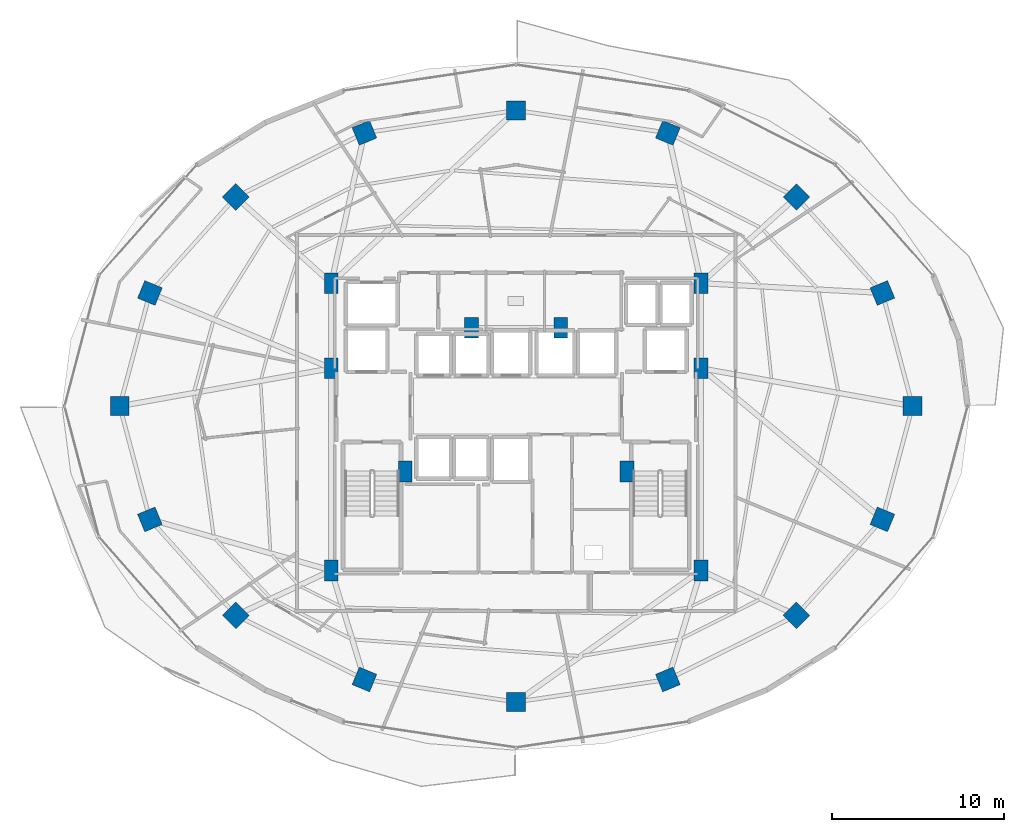
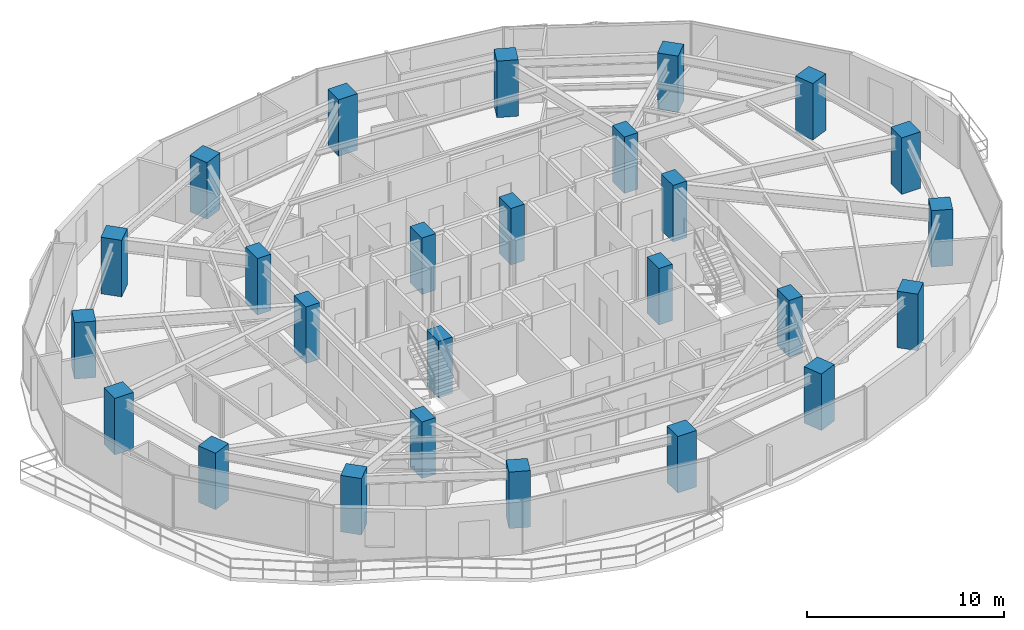
# One storey, part 1 of 29: 26 columns.
"""IFC4 building model written with IfcOpenShell, lengths in metres."""

from ifc_helpers import new_model, si_unit, direction, frame, origin, origin_2d, place, context, subcontext, project, spatial, rectangle, extrude, material, material_profile, profile_set, type_object, element, save


model = new_model("IFC4")

# Units and contexts
model_context = context("Model", 3, precision=1e-05, world=origin(), true_north=direction((0.0, 1.0)))
body_context = subcontext(model_context, "Body", "Model", "MODEL_VIEW")
ifc_project = project(units=[si_unit("LENGTHUNIT", "METRE"), si_unit("AREAUNIT", "SQUARE_METRE"), si_unit("VOLUMEUNIT", "CUBIC_METRE"), si_unit("PLANEANGLEUNIT", "RADIAN"), si_unit("MASSUNIT", "GRAM", prefix="KILO")], contexts=[model_context])

# Site, building, storey
site_placement = place(None, origin())
site = spatial("IfcSite", under=ifc_project, at=site_placement, CompositionType="ELEMENT")
building_placement = place(site_placement, origin())
building = spatial("IfcBuilding", under=site, at=building_placement, Name="Vorneva Point Tower", CompositionType="ELEMENT")
storey_placement = place(building_placement, frame((0.0, 0.0, 82.300048828125)))
storey = spatial("IfcBuildingStorey", under=building, at=storey_placement, Name="L21", CompositionType="ELEMENT", Elevation=82.300048828125)

# Columns
ifc_material = material(Name="Concrete B60 (C50/60)", Category="concrete")
ifc_material_profile_1 = material_profile(ifc_material, rectangle(XDim=1.10009765625, YDim=1.10009765625, at=origin_2d()), Name="RC-COL 1100x1100")
ifc_profile_set_1 = profile_set([ifc_material_profile_1], Name="Concrete B60 (C50/60)")
column_type_1 = type_object("IfcColumnType", Name="COL-RC1100", PredefinedType="COLUMN", material=ifc_profile_set_1)
for number, where, z_axis, x_axis, name in (
    (1, (61.050048828125, 26.0, 0.0), (0.0, 0.0, 1.0), (1.0, 0.0, 0.0), "L21 Perimeter Column P01"),
    (2, (59.29541015625, 32.582275390625, 0.0), (0.0, 0.0, 1.0), (0.923879532511, 0.382683432365, 0.0), "L21 Perimeter Column P02"),
    (3, (54.298828125, 38.162109375, 0.0), (0.0, 0.0, 1.0), (0.707106781187, 0.707106781187, 0.0), "L21 Perimeter Column P03"),
    (4, (46.82080078125, 41.890625, 0.0), (0.0, 0.0, 1.0), (0.382683432365, 0.923879532511, 0.0), "L21 Perimeter Column P04"),
    (5, (38.0, 43.199951171875, 0.0), (0.0, 0.0, 1.0), (0.0, 1.0, 0.0), "L21 Perimeter Column P05"),
    (6, (29.17919921875, 41.890625, 0.0), (0.0, 0.0, 1.0), (-0.382683432365, 0.923879532511, 0.0), "L21 Perimeter Column P06"),
    (7, (21.701171875, 38.162109375, 0.0), (0.0, 0.0, 1.0), (-0.707106781187, 0.707106781187, 0.0), "L21 Perimeter Column P07"),
    (8, (16.70458984375, 32.582275390625, 0.0), (0.0, 0.0, 1.0), (-0.923879532511, 0.382683432365, 0.0), "L21 Perimeter Column P08"),
    (9, (14.949951171875, 26.0, 0.0), (0.0, 0.0, 1.0), (-1.0, 0.0, 0.0), "L21 Perimeter Column P09"),
    (10, (16.70458984375, 19.417724609375, 0.0), (0.0, 0.0, 1.0), (-0.923879532511, -0.382683432365, 0.0), "L21 Perimeter Column P10"),
    (11, (21.701171875, 13.837890625, 0.0), (0.0, 0.0, 1.0), (-0.707106781187, -0.707106781187, 0.0), "L21 Perimeter Column P11"),
    (12, (29.17919921875, 10.109375, 0.0), (0.0, 0.0, 1.0), (-0.382683432365, -0.923879532511, 0.0), "L21 Perimeter Column P12"),
    (13, (38.0, 8.800048828125, 0.0), (0.0, 0.0, 1.0), (0.0, -1.0, 0.0), "L21 Perimeter Column P13"),
    (14, (46.82080078125, 10.109375, 0.0), (0.0, 0.0, 1.0), (0.382683432365, -0.923879532511, 0.0), "L21 Perimeter Column P14"),
    (15, (54.298828125, 13.837890625, 0.0), (0.0, 0.0, 1.0), (0.707106781187, -0.707106781187, 0.0), "L21 Perimeter Column P15"),
    (16, (59.29541015625, 19.417724609375, 0.0), (0.0, 0.0, 1.0), (0.923879532511, -0.382683432365, 0.0), "L21 Perimeter Column P16"),
):
    element("IfcColumn", number, at=place(storey_placement, frame(where, z_axis=z_axis, x_axis=x_axis)), inside=storey, type_object=column_type_1, Name=name, PredefinedType="COLUMN", context=body_context, shape_type="SweptSolid", body=[
        extrude(rectangle(XDim=1.10009765625, YDim=1.10009765625, at=origin_2d()), origin(), (0.0, 0.0, 1.0), 3.5),
    ])
ifc_material_profile_2 = material_profile(ifc_material, rectangle(XDim=0.800048828125, YDim=1.199951171875, at=origin_2d()), Name="RC-PIL 1200x800")
ifc_profile_set_2 = profile_set([ifc_material_profile_2], Name="Concrete B60 (C50/60)")
column_type_2 = type_object("IfcColumnType", Name="PIL-RC1200x800", PredefinedType="PILASTER", material=ifc_profile_set_2)
for number, where, z_axis, x_axis, name in (
    (17, (27.25, 16.449951171875, 0.0), (0.0, 0.0, 1.0), (1.0, 0.0, 0.0), "L21 Core Pilaster CP1"),
    (18, (27.25, 28.199951171875, 0.0), (0.0, 0.0, 1.0), (1.0, 0.0, 0.0), "L21 Core Pilaster CP2"),
    (19, (27.25, 33.14990234375, 0.0), (0.0, 0.0, 1.0), (1.0, 0.0, 0.0), "L21 Core Pilaster CP3"),
    (20, (31.550048828125, 22.199951171875, 0.0), (0.0, 0.0, 1.0), (1.0, 0.0, 0.0), "L21 Core Pilaster CP4"),
    (21, (48.75, 33.14990234375, 0.0), (0.0, 0.0, 1.0), (1.0, 0.0, 0.0), "L21 Core Pilaster CP5"),
    (22, (48.75, 28.199951171875, 0.0), (0.0, 0.0, 1.0), (1.0, 0.0, 0.0), "L21 Core Pilaster CP6"),
    (23, (48.75, 16.449951171875, 0.0), (0.0, 0.0, 1.0), (1.0, 0.0, 0.0), "L21 Core Pilaster CP7"),
    (24, (44.449951171875, 22.199951171875, 0.0), (0.0, 0.0, 1.0), (1.0, 0.0, 0.0), "L21 Core Pilaster CP8"),
    (25, (35.39990234375, 30.550048828125, 0.0), (0.0, 0.0, 1.0), (1.0, 0.0, 0.0), "L21 Core Pilaster CP9"),
    (26, (40.60009765625, 30.550048828125, 0.0), (0.0, 0.0, 1.0), (1.0, 0.0, 0.0), "L21 Core Pilaster CP10"),
):
    element("IfcColumn", number, at=place(storey_placement, frame(where, z_axis=z_axis, x_axis=x_axis)), inside=storey, type_object=column_type_2, Name=name, PredefinedType="PILASTER", context=body_context, shape_type="SweptSolid", body=[
        extrude(rectangle(XDim=0.800048828125, YDim=1.199951171875, at=origin_2d()), origin(), (0.0, 0.0, 1.0), 3.5),
    ])

save(model, "model.ifc")
